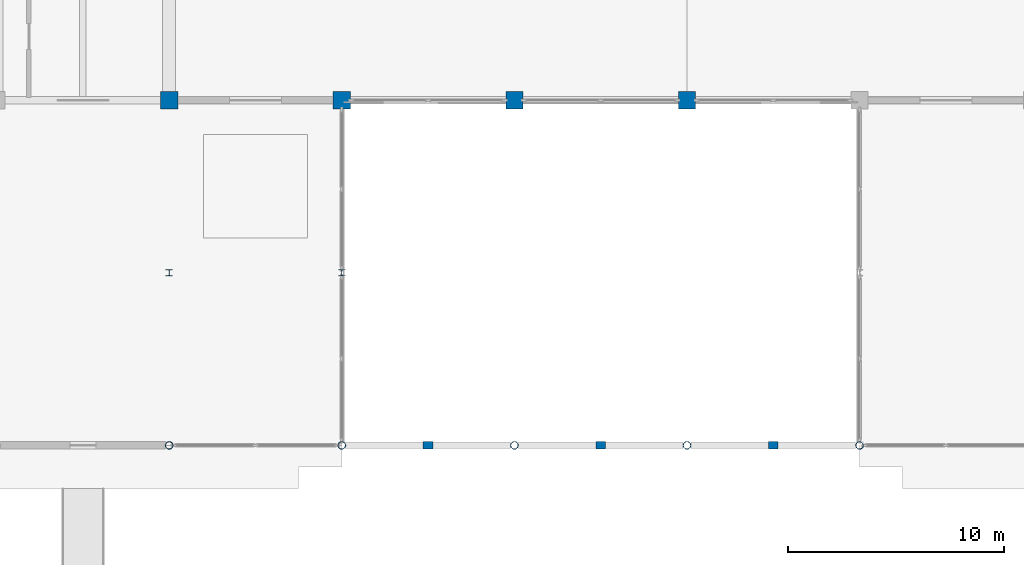
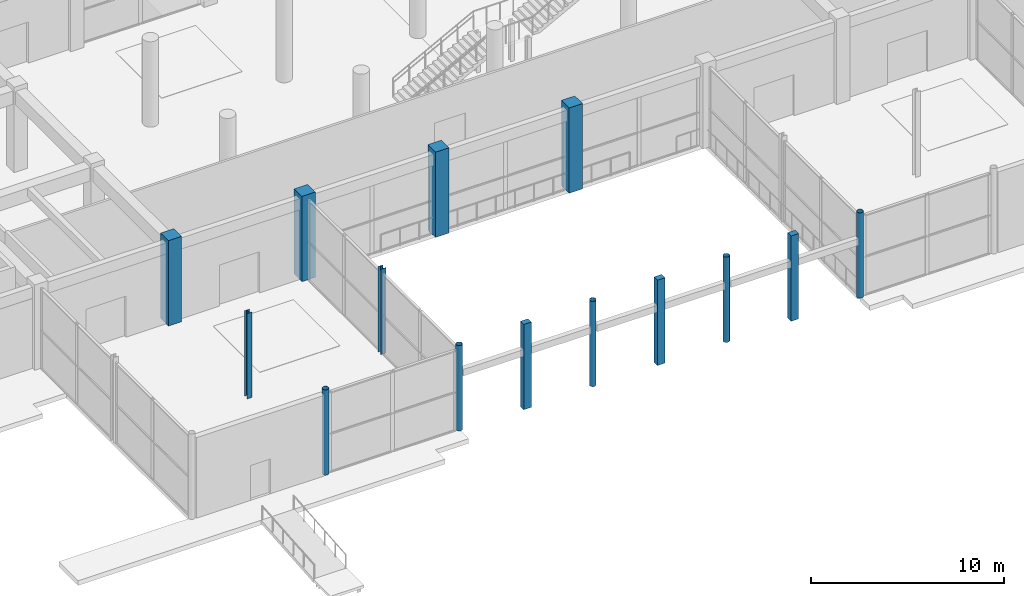
# One storey, part 5 of 86: 14 columns.
"""IFC4 building model written with IfcOpenShell, lengths in metres."""

import ifcopenshell
import ifcopenshell.guid

model = None  # the IFC model being written
_history = None  # IfcOwnerHistory: only IFC2X3 demands one
_inside = {}  # id of a spatial element -> (the spatial element, [elements in it])
_under = {}  # id of a project, library or spatial element -> (it, [spatial elements below it])
_declared = {}  # id of a project -> (the project, [libraries it declares])
_typed = {}  # id of a type object -> (the type object, [elements of that type])
_made_of = {}  # id of a material, layer set ... -> (it, [elements and type objects made of it])


def new_model(schema):
    """Start an empty IFC model of exactly this schema.

    Asked for "IFC4X3", IfcOpenShell would pick the latest addendum, in which some entities
    have other attributes; the version numbers below select the first issue.
    IFC2X3 requires an IfcOwnerHistory on every rooted entity: one is made here for all.
    """
    global model, _history
    if schema == "IFC4X3":
        model = ifcopenshell.file(schema_version=(4, 3, 0, 0))
    else:
        model = ifcopenshell.file(schema=schema)
    _inside.clear()
    _under.clear()
    _declared.clear()
    _typed.clear()
    _made_of.clear()
    _history = None
    if model.schema == "IFC2X3":
        org = make("IfcOrganization", Name="unknown")
        user = make(
            "IfcPersonAndOrganization",
            ThePerson=make("IfcPerson", FamilyName="unknown"),
            TheOrganization=org,
        )
        app = make(
            "IfcApplication",
            ApplicationDeveloper=org,
            Version="unknown",
            ApplicationFullName="unknown",
            ApplicationIdentifier="unknown",
        )
        _history = make(
            "IfcOwnerHistory",
            OwningUser=user,
            OwningApplication=app,
            ChangeAction="ADDED",
            CreationDate=0,
        )
    return model


def make(cls, **values):
    """One entity of the class cls with the attributes given. An attribute that is None is left unset."""
    return model.create_entity(
        cls, **{name: value for name, value in values.items() if value is not None}
    )


def rooted(cls, **values):
    """An entity with a GlobalId (a new one), such as an element, a storey or a relation."""
    return make(cls, GlobalId=ifcopenshell.guid.new(), OwnerHistory=_history, **values)


def si_unit(unit_type, name, prefix=None):
    """IfcSIUnit, for example si_unit("LENGTHUNIT", "METRE", prefix="MILLI")."""
    return make("IfcSIUnit", UnitType=unit_type, Prefix=prefix, Name=name)


def assignment(units):
    """IfcUnitAssignment: the units of a project."""
    return None if units is None else make("IfcUnitAssignment", Units=units)


def point(xyz):
    """IfcCartesianPoint."""
    return None if xyz is None else make("IfcCartesianPoint", Coordinates=xyz)


def direction(xyz):
    """IfcDirection."""
    return None if xyz is None else make("IfcDirection", DirectionRatios=xyz)


def frame(location, z_axis=None, x_axis=None):
    """IfcAxis2Placement3D, a coordinate frame: its origin and axes. An axis left out is left unset."""
    return make(
        "IfcAxis2Placement3D",
        Location=point(location),
        Axis=direction(z_axis),
        RefDirection=direction(x_axis),
    )


def frame_2d(location, x_axis=None):
    """IfcAxis2Placement2D, a coordinate frame in the plane: its origin and x axis."""
    return make(
        "IfcAxis2Placement2D", Location=point(location), RefDirection=direction(x_axis)
    )


def origin():
    """The frame at (0, 0, 0) with its axes left unset."""
    return frame((0.0, 0.0, 0.0))


def origin_2d():
    """The frame at (0, 0) in the plane with its x axis left unset."""
    return frame_2d((0.0, 0.0))


def place(relative_to, where):
    """IfcLocalPlacement: puts the frame where relative to a parent placement (None: the world)."""
    return make(
        "IfcLocalPlacement", PlacementRelTo=relative_to, RelativePlacement=where
    )


def context(
    kind, dimensions, precision=None, world=None, true_north=None, identifier=None
):
    """IfcGeometricRepresentationContext, for example the 3D "Model" context."""
    return make(
        "IfcGeometricRepresentationContext",
        ContextIdentifier=identifier,
        ContextType=kind,
        CoordinateSpaceDimension=dimensions,
        Precision=precision,
        WorldCoordinateSystem=world,
        TrueNorth=true_north,
    )


def subcontext(parent, identifier, kind, view, scale=None):
    """IfcGeometricRepresentationSubContext, for example "Body" below "Model"."""
    return make(
        "IfcGeometricRepresentationSubContext",
        ContextIdentifier=identifier,
        ContextType=kind,
        ParentContext=parent,
        TargetScale=scale,
        TargetView=view,
    )


def project(units=None, contexts=None):
    """IfcProject with its units and contexts."""
    return rooted(
        "IfcProject",
        Name="project",
        RepresentationContexts=contexts,
        UnitsInContext=assignment(units),
    )


def spatial(cls, under=None, at=None, **own):
    """A site, building, storey or space (cls), placed at a placement, below another one or the project."""
    s = rooted(cls, ObjectPlacement=at, **own)
    if under is not None:
        _under.setdefault(under.id(), (under, []))[1].append(s)
    return s


def profile(cls, at=None, kind="AREA", **sizes):
    """A parametric profile (cls). Its sizes go by their IFC names, for example OverallWidth=200.0."""
    return make(cls, ProfileType=kind, Position=at, **sizes)


def rectangle(**sizes):
    """IfcRectangleProfileDef."""
    return profile("IfcRectangleProfileDef", **sizes)


def hollow_circle(**sizes):
    """IfcCircleHollowProfileDef."""
    return profile("IfcCircleHollowProfileDef", **sizes)


def i_section(**sizes):
    """IfcIShapeProfileDef."""
    return profile("IfcIShapeProfileDef", **sizes)


def extrude(swept, where, along, depth):
    """IfcExtrudedAreaSolid: the profile swept, set in the frame where, extruded along a direction by depth."""
    return make(
        "IfcExtrudedAreaSolid",
        SweptArea=swept,
        Position=where,
        ExtrudedDirection=direction(along),
        Depth=depth,
    )


def shape(context_of_items, identifier, shape_type, items):
    """IfcShapeRepresentation: the items that make up one representation, for example the "Body"."""
    return make(
        "IfcShapeRepresentation",
        ContextOfItems=context_of_items,
        RepresentationIdentifier=identifier,
        RepresentationType=shape_type,
        Items=items,
    )


def material(Name=None, Category=None):
    """IfcMaterial."""
    return make("IfcMaterial", Name=Name, Category=Category)


def material_profile(
    of_material, cross_section, Name=None, Category=None, Priority=None
):
    """IfcMaterialProfile: a cross section and its material."""
    return make(
        "IfcMaterialProfile",
        Name=Name,
        Material=of_material,
        Profile=cross_section,
        Priority=Priority,
        Category=Category,
    )


def profile_set(profiles, Name=None, composite=None):
    """IfcMaterialProfileSet."""
    return make(
        "IfcMaterialProfileSet",
        Name=Name,
        MaterialProfiles=profiles,
        CompositeProfile=composite,
    )


def made_of(thing, what):
    """Note that an element or type object is made of a material, layer set ...; save() writes the relation."""
    if what is not None:
        _made_of.setdefault(what.id(), (what, []))[1].append(thing)
    return thing


def type_object(cls, material=None, **own):
    """A type object (cls), such as IfcWallType, which elements share."""
    return made_of(rooted(cls, **own), material)


def element(
    cls,
    number,
    at=None,
    inside=None,
    cuts=None,
    type_object=None,
    material=None,
    context=None,
    identifier="Body",
    shape_type=None,
    held_by="IfcProductDefinitionShape",
    body=None,
    shapes=None,
    **own,
):
    """One element of the class cls, such as IfcWall. Its Tag is "e" and its number.

    at: its placement. inside: the storey or other place that contains it. cuts: it is an
    opening in that element (IfcRelVoidsElement). A single representation is given by context,
    identifier, shape_type and body (its items); several are given by shapes. held_by: the class
    of the entity that holds the representations. save() writes the other relations.
    """
    e = rooted(cls, Tag="e%d" % number, ObjectPlacement=at, **own)
    if body is not None:
        shapes = [shape(context, identifier, shape_type, body)]
    if shapes is not None:
        e.Representation = make(held_by, Representations=shapes)
    if inside is not None:
        _inside.setdefault(inside.id(), (inside, []))[1].append(e)
    if cuts is not None:
        rooted(
            "IfcRelVoidsElement", RelatingBuildingElement=cuts, RelatedOpeningElement=e
        )
    if type_object is not None:
        _typed.setdefault(type_object.id(), (type_object, []))[1].append(e)
    return made_of(e, material)


def aggregate(whole, parts):
    """IfcRelAggregates: a whole, such as a stair, and the parts it consists of."""
    return rooted("IfcRelAggregates", RelatingObject=whole, RelatedObjects=parts)


def save(model, path):
    """Write the relations noted so far, then the file.

    IfcRelAggregates (storeys below a building ...), IfcRelContainedInSpatialStructure (elements
    in a storey), IfcRelDefinesByType, IfcRelAssociatesMaterial and IfcRelDeclares: one each for
    every whole, place, type object, material and project.
    """
    for whole, parts in _under.values():
        aggregate(whole, parts)
    for where, things in _inside.values():
        rooted(
            "IfcRelContainedInSpatialStructure",
            RelatedElements=things,
            RelatingStructure=where,
        )
    for kind, things in _typed.values():
        rooted("IfcRelDefinesByType", RelatedObjects=things, RelatingType=kind)
    for what, things in _made_of.values():
        rooted("IfcRelAssociatesMaterial", RelatedObjects=things, RelatingMaterial=what)
    for by, libraries in _declared.values():
        rooted("IfcRelDeclares", RelatingContext=by, RelatedDefinitions=libraries)
    model.write(path)


model = new_model("IFC4")

# Units and contexts
model_context = context("Model", 3, precision=1e-05, world=origin(), true_north=direction((0.0, 1.0)))
body_context = subcontext(model_context, "Body", "Model", "MODEL_VIEW")
ifc_project = project(units=[si_unit("LENGTHUNIT", "METRE"), si_unit("AREAUNIT", "SQUARE_METRE"), si_unit("VOLUMEUNIT", "CUBIC_METRE"), si_unit("PLANEANGLEUNIT", "RADIAN"), si_unit("MASSUNIT", "GRAM", prefix="KILO")], contexts=[model_context])

# Site, building, storey
site_placement = place(None, origin())
site = spatial("IfcSite", under=ifc_project, at=site_placement, CompositionType="ELEMENT")
building_placement = place(site_placement, origin())
building = spatial("IfcBuilding", under=site, at=building_placement, Name="Kenh Van Central Station", CompositionType="ELEMENT")
storey_placement = place(building_placement, origin())
storey = spatial("IfcBuildingStorey", under=building, at=storey_placement, Name="L00", CompositionType="ELEMENT", Elevation=0.0)

# Columns
ifc_material_1 = material(Name="Concrete C40/50", Category="concrete")
ifc_material_profile_1 = material_profile(ifc_material_1, rectangle(XDim=0.800048828125, YDim=0.800048828125, at=origin_2d()), Name="RC 800x800")
ifc_profile_set_1 = profile_set([ifc_material_profile_1], Name="Concrete C40/50")
column_type_1 = type_object("IfcColumnType", Name="COL-RC-800x800", PredefinedType="COLUMN", material=ifc_profile_set_1)
for number, where, z_axis, x_axis, name in (
    (1, (64.0, 16.0, 0.0), (0.0, 0.0, 1.0), (1.0, 0.0, 0.0), "L00 column CC-064-016"),
    (2, (72.0, 16.0, 0.0), (0.0, 0.0, 1.0), (1.0, 0.0, 0.0), "L00 column CC-072-016"),
    (3, (80.0, 16.0, 0.0), (0.0, 0.0, 1.0), (1.0, 0.0, 0.0), "L00 column CC-080-016"),
    (4, (88.0, 16.0, 0.0), (0.0, 0.0, 1.0), (1.0, 0.0, 0.0), "L00 column CC-088-016"),
):
    element("IfcColumn", number, at=place(storey_placement, frame(where, z_axis=z_axis, x_axis=x_axis)), inside=storey, type_object=column_type_1, Name=name, PredefinedType="COLUMN", context=body_context, shape_type="SweptSolid", body=[
        extrude(rectangle(XDim=0.800048828125, YDim=0.800048828125, at=origin_2d()), origin(), (0.0, 0.0, 1.0), 5.39990234375),
    ])
ifc_material_2 = material(Name="Steel S355", Category="steel")
ifc_material_profile_2 = material_profile(ifc_material_2, hollow_circle(Radius=0.177734375, WallThickness=0.012451171875, at=origin_2d()), Name="CHS 355.6x12.5")
ifc_profile_set_2 = profile_set([ifc_material_profile_2], Name="Steel S355")
column_type_2 = type_object("IfcColumnType", Name="COL-STL-CAN356", PredefinedType="COLUMN", material=ifc_profile_set_2)
for number, where, z_axis, x_axis, name in (
    (5, (64.0, 0.0, 0.0), (0.0, 0.0, 1.0), (1.0, 0.0, 0.0), "L00 column CF-064-000"),
    (6, (72.0, 0.0, 0.0), (0.0, 0.0, 1.0), (1.0, 0.0, 0.0), "L00 column CF-072-000"),
    (7, (80.0, 0.0, 0.0), (0.0, 0.0, 1.0), (1.0, 0.0, 0.0), "L00 column CF-080-000"),
    (8, (88.0, 0.0, 0.0), (0.0, 0.0, 1.0), (1.0, 0.0, 0.0), "L00 column CF-088-000"),
    (9, (96.0, 0.0, 0.0), (0.0, 0.0, 1.0), (1.0, 0.0, 0.0), "L00 column CF-096-000"),
):
    element("IfcColumn", number, at=place(storey_placement, frame(where, z_axis=z_axis, x_axis=x_axis)), inside=storey, type_object=column_type_2, Name=name, PredefinedType="COLUMN", context=body_context, shape_type="SweptSolid", body=[
        extrude(hollow_circle(Radius=0.177734375, WallThickness=0.012451171875, at=origin_2d()), origin(), (0.0, 0.0, 1.0), 5.39990234375),
    ])
ifc_material_profile_3 = material_profile(ifc_material_2, i_section(OverallWidth=0.300048828125, OverallDepth=0.300048828125, WebThickness=0.010986328125, FlangeThickness=0.01904296875, FilletRadius=0.027099609375, at=origin_2d()), Name="HEB 300")
ifc_profile_set_3 = profile_set([ifc_material_profile_3], Name="Steel S355")
column_type_3 = type_object("IfcColumnType", Name="COL-STL-HEB300", PredefinedType="COLUMN", material=ifc_profile_set_3)
for number, where, z_axis, x_axis, name in (
    (10, (64.0, 8.0, 0.0), (0.0, 0.0, 1.0), (1.0, 0.0, 0.0), "L00 column CF-064-008"),
    (11, (72.0, 8.0, 0.0), (0.0, 0.0, 1.0), (1.0, 0.0, 0.0), "L00 column CF-072-008"),
):
    element("IfcColumn", number, at=place(storey_placement, frame(where, z_axis=z_axis, x_axis=x_axis)), inside=storey, type_object=column_type_3, Name=name, PredefinedType="COLUMN", context=body_context, shape_type="SweptSolid", body=[
        extrude(i_section(OverallWidth=0.300048828125, OverallDepth=0.300048828125, WebThickness=0.010986328125, FlangeThickness=0.01904296875, FilletRadius=0.027099609375, at=origin_2d()), origin(), (0.0, 0.0, 1.0), 5.39990234375),
    ])
ifc_material_3 = material(Name="Concrete C35/45", Category="concrete")
ifc_material_profile_4 = material_profile(ifc_material_3, rectangle(XDim=0.449951171875, YDim=0.35009765625, at=origin_2d()), Name="RC 450x350")
ifc_profile_set_4 = profile_set([ifc_material_profile_4], Name="Concrete C35/45")
column_type_4 = type_object("IfcColumnType", Name="PIL-RC-450x350", PredefinedType="PILASTER", material=ifc_profile_set_4)
for number, where, z_axis, x_axis, name in (
    (12, (76.0, 0.0, 0.0), (0.0, 0.0, 1.0), (1.0, 0.0, 0.0), "L00 column PIL-F-00"),
    (13, (84.0, 0.0, 0.0), (0.0, 0.0, 1.0), (1.0, 0.0, 0.0), "L00 column PIL-F-01"),
    (14, (92.0, 0.0, 0.0), (0.0, 0.0, 1.0), (1.0, 0.0, 0.0), "L00 column PIL-F-02"),
):
    element("IfcColumn", number, at=place(storey_placement, frame(where, z_axis=z_axis, x_axis=x_axis)), inside=storey, type_object=column_type_4, Name=name, PredefinedType="PILASTER", context=body_context, shape_type="SweptSolid", body=[
        extrude(rectangle(XDim=0.449951171875, YDim=0.35009765625, at=origin_2d()), origin(), (0.0, 0.0, 1.0), 5.39990234375),
    ])

save(model, "model.ifc")
